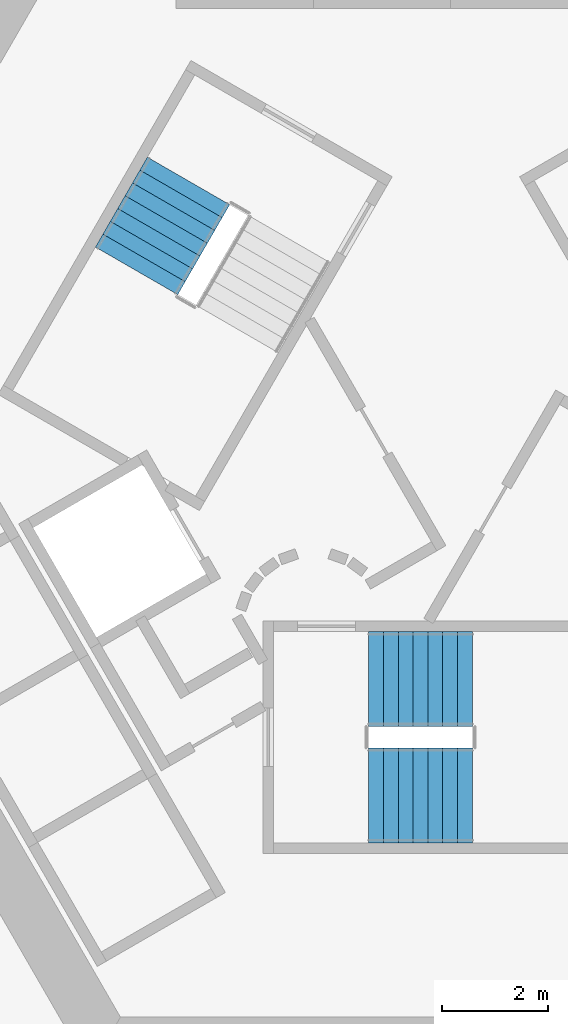
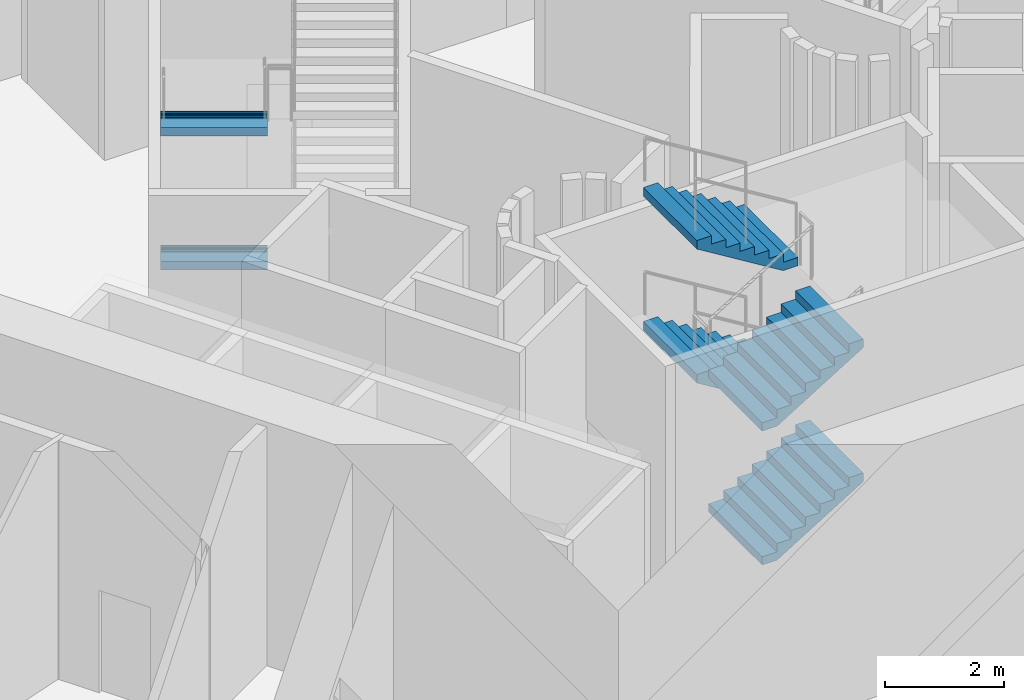
# One storey, part 15 of 20: 6 stair flights, 2 elements without a shape of their own.
"""IFC4 building model written with IfcOpenShell, lengths in metres."""

from ifc_helpers import new_model, si_unit, direction, frame, origin, place, context, subcontext, project, spatial, triangles, material, type_object, element, aggregate, save


model = new_model("IFC4")

# Units and contexts
model_context = context("Model", 3, precision=1e-05, world=origin(), true_north=direction((0.0, 1.0)))
body_context = subcontext(model_context, "Body", "Model", "MODEL_VIEW")
ifc_project = project(units=[si_unit("LENGTHUNIT", "METRE"), si_unit("AREAUNIT", "SQUARE_METRE"), si_unit("VOLUMEUNIT", "CUBIC_METRE"), si_unit("PLANEANGLEUNIT", "RADIAN"), si_unit("MASSUNIT", "GRAM", prefix="KILO")], contexts=[model_context])

# Site, building, storey
site_placement = place(None, origin())
site = spatial("IfcSite", under=ifc_project, at=site_placement, CompositionType="ELEMENT")
building_placement = place(site_placement, origin())
building = spatial("IfcBuilding", under=site, at=building_placement, Name="Entoto Arch Interchange Tower", CompositionType="ELEMENT")
storey_placement = place(building_placement, frame((0.0, 0.0, -5.5)))
storey = spatial("IfcBuildingStorey", under=building, at=storey_placement, Name="B1", CompositionType="ELEMENT", Elevation=-5.5)

# Stair, stair flights
ifc_material = material(Name="Concrete C40/50", Category="concrete")
stair_type = type_object("IfcStairType", Name="EXIT STAIR RC 1800", PredefinedType="HALF_TURN_STAIR", material=ifc_material)
stair_1_placement = place(storey_placement, origin())
stair_1 = element("IfcStair", 1, at=stair_1_placement, inside=storey, type_object=stair_type, Name="B1 Exit stair S", PredefinedType="HALF_TURN_STAIR")
stair_flight_type = type_object("IfcStairFlightType", Name="EXIT STAIR FLIGHT RC 1800", PredefinedType="STRAIGHT", material=ifc_material)
stair_flight_1_placement = place(storey_placement, frame((-1.64990234375, -4.300048828125, 0.0), z_axis=(0.0, 0.0, 1.0), x_axis=(1.0, 0.0, 0.0)))
stair_flight_1 = element("IfcStairFlight", 2, at=stair_flight_1_placement, type_object=stair_flight_type, Name="ST-S flight 1", NumberOfRisers=8, NumberOfTreads=7, PredefinedType="STRAIGHT", RiserHeight=0.171875, TreadLength=0.28, context=body_context, shape_type="Tessellation", body=[
    triangles([(-0.003, -0.900024, 0.0), (-0.003, -0.900024, 0.171875), (0.28, -0.900024, 0.171875), (0.28, -0.900024, 0.34375), (0.56, -0.900024, 0.34375), (0.56, -0.900024, 0.515625), (0.84, -0.900024, 0.515625), (0.84, -0.900024, 0.6875), (1.12, -0.900024, 0.6875), (1.12, -0.900024, 0.859375), (1.4, -0.900024, 0.859375), (1.4, -0.900024, 1.03125), (1.68, -0.900024, 1.03125), (1.68, -0.900024, 1.203125), (1.96, -0.900024, 1.203125), (1.963, -0.900024, 1.203125), (1.963, -0.900024, 1.029076), (0.286542, -0.900024, 0.0), (-0.003, 0.900024, 0.0), (-0.003, 0.900024, 0.171875), (0.28, 0.900024, 0.171875), (0.28, 0.900024, 0.34375), (0.56, 0.900024, 0.34375), (0.56, 0.900024, 0.515625), (0.84, 0.900024, 0.515625), (0.84, 0.900024, 0.6875), (1.12, 0.900024, 0.6875), (1.12, 0.900024, 0.859375), (1.4, 0.900024, 0.859375), (1.4, 0.900024, 1.03125), (1.68, 0.900024, 1.03125), (1.68, 0.900024, 1.203125), (1.96, 0.900024, 1.203125), (1.963, 0.900024, 1.203125), (1.963, 0.900024, 1.029076), (0.286542, 0.900024, 0.0), (-0.003, -0.450012, 0.0), (-0.003, -0.450012, 0.171875), (-0.003, 0.0, 0.0), (-0.003, 0.0, 0.171875), (-0.003, 0.450012, 0.0), (-0.003, 0.450012, 0.171875), (0.28, -0.450012, 0.171875), (0.28, 0.0, 0.171875), (0.28, 0.450012, 0.171875), (0.28, -0.450012, 0.34375), (0.28, 0.0, 0.34375), (0.28, 0.450012, 0.34375), (0.56, -0.450012, 0.34375), (0.56, 0.0, 0.34375), (0.56, 0.450012, 0.34375), (0.56, -0.450012, 0.515625), (0.56, 0.0, 0.515625), (0.56, 0.450012, 0.515625), (0.84, -0.450012, 0.515625), (0.84, 0.0, 0.515625), (0.84, 0.450012, 0.515625), (0.84, -0.450012, 0.6875), (0.84, 0.0, 0.6875), (0.84, 0.450012, 0.6875), (1.12, -0.450012, 0.6875), (1.12, 0.0, 0.6875), (1.12, 0.450012, 0.6875), (1.12, -0.450012, 0.859375), (1.12, 0.0, 0.859375), (1.12, 0.450012, 0.859375), (1.4, -0.450012, 0.859375), (1.4, 0.0, 0.859375), (1.4, 0.450012, 0.859375), (1.4, -0.450012, 1.03125), (1.4, 0.0, 1.03125), (1.4, 0.450012, 1.03125), (1.68, -0.450012, 1.03125), (1.68, 0.0, 1.03125), (1.68, 0.450012, 1.03125), (1.68, -0.450012, 1.203125), (1.68, 0.0, 1.203125), (1.68, 0.450012, 1.203125), (1.96, -0.450012, 1.203125), (1.96, 0.0, 1.203125), (1.96, 0.450012, 1.203125), (1.963, -0.450012, 1.203125), (1.963, 0.0, 1.203125), (1.963, 0.450012, 1.203125), (1.963, -0.450012, 1.029076), (1.963, 0.0, 1.029076), (1.963, 0.450012, 1.029076), (0.286542, -0.450012, 0.0), (0.286542, 0.0, 0.0), (0.286542, 0.450012, 0.0)], [[1, 18, 17], [17, 16, 15], [17, 15, 14], [17, 14, 13], [17, 13, 12], [17, 12, 11], [11, 10, 9], [17, 11, 9], [9, 8, 7], [17, 9, 7], [7, 6, 5], [17, 7, 5], [5, 4, 3], [17, 5, 3], [1, 17, 3], [3, 2, 1], [19, 35, 36], [35, 33, 34], [35, 32, 33], [35, 31, 32], [35, 30, 31], [35, 29, 30], [29, 27, 28], [35, 27, 29], [27, 25, 26], [35, 25, 27], [25, 23, 24], [35, 23, 25], [23, 21, 22], [35, 21, 23], [19, 21, 35], [21, 19, 20], [1, 2, 38], [1, 38, 37], [37, 38, 40], [37, 40, 39], [39, 40, 42], [39, 42, 41], [41, 42, 20], [41, 20, 19], [2, 3, 43], [2, 43, 38], [38, 43, 44], [38, 44, 40], [40, 44, 45], [40, 45, 42], [42, 45, 21], [42, 21, 20], [3, 4, 46], [3, 46, 43], [43, 46, 47], [43, 47, 44], [44, 47, 48], [44, 48, 45], [45, 48, 22], [45, 22, 21], [4, 5, 49], [4, 49, 46], [46, 49, 50], [46, 50, 47], [47, 50, 51], [47, 51, 48], [48, 51, 23], [48, 23, 22], [5, 6, 52], [5, 52, 49], [49, 52, 53], [49, 53, 50], [50, 53, 54], [50, 54, 51], [51, 54, 24], [51, 24, 23], [6, 7, 55], [6, 55, 52], [52, 55, 56], [52, 56, 53], [53, 56, 57], [53, 57, 54], [54, 57, 25], [54, 25, 24], [7, 8, 58], [7, 58, 55], [55, 58, 59], [55, 59, 56], [56, 59, 60], [56, 60, 57], [57, 60, 26], [57, 26, 25], [8, 9, 61], [8, 61, 58], [58, 61, 62], [58, 62, 59], [59, 62, 63], [59, 63, 60], [60, 63, 27], [60, 27, 26], [9, 10, 64], [9, 64, 61], [61, 64, 65], [61, 65, 62], [62, 65, 66], [62, 66, 63], [63, 66, 28], [63, 28, 27], [10, 11, 67], [10, 67, 64], [64, 67, 68], [64, 68, 65], [65, 68, 69], [65, 69, 66], [66, 69, 29], [66, 29, 28], [11, 12, 70], [11, 70, 67], [67, 70, 71], [67, 71, 68], [68, 71, 72], [68, 72, 69], [69, 72, 30], [69, 30, 29], [12, 13, 73], [12, 73, 70], [70, 73, 74], [70, 74, 71], [71, 74, 75], [71, 75, 72], [72, 75, 31], [72, 31, 30], [13, 14, 76], [13, 76, 73], [73, 76, 77], [73, 77, 74], [74, 77, 78], [74, 78, 75], [75, 78, 32], [75, 32, 31], [14, 15, 79], [14, 79, 76], [76, 79, 80], [76, 80, 77], [77, 80, 81], [77, 81, 78], [78, 81, 33], [78, 33, 32], [15, 16, 82], [15, 82, 79], [79, 82, 83], [79, 83, 80], [80, 83, 84], [80, 84, 81], [81, 84, 34], [81, 34, 33], [16, 17, 85], [16, 85, 82], [82, 85, 86], [82, 86, 83], [83, 86, 87], [83, 87, 84], [84, 87, 35], [84, 35, 34], [17, 18, 88], [17, 88, 85], [85, 88, 89], [85, 89, 86], [86, 89, 90], [86, 90, 87], [87, 90, 36], [87, 36, 35], [18, 1, 37], [18, 37, 88], [88, 37, 39], [88, 39, 89], [89, 39, 41], [89, 41, 90], [90, 41, 19], [90, 19, 36]], closed=True),
])
stair_flight_2_placement = place(storey_placement, frame((0.31005859375, -2.10009765625, 1.375), z_axis=(0.0, 0.0, 1.0), x_axis=(-1.0, 0.0, 0.0)))
stair_flight_2 = element("IfcStairFlight", 3, at=stair_flight_2_placement, type_object=stair_flight_type, Name="ST-S flight 2", NumberOfRisers=8, NumberOfTreads=7, PredefinedType="STRAIGHT", RiserHeight=0.171875, TreadLength=0.28, context=body_context, shape_type="Tessellation", body=[
    triangles([(-0.003, -0.900024, 0.0), (-0.003, -0.900024, 0.171875), (0.28, -0.900024, 0.171875), (0.28, -0.900024, 0.34375), (0.56, -0.900024, 0.34375), (0.56, -0.900024, 0.515625), (0.84, -0.900024, 0.515625), (0.84, -0.900024, 0.6875), (1.12, -0.900024, 0.6875), (1.12, -0.900024, 0.859375), (1.4, -0.900024, 0.859375), (1.4, -0.900024, 1.03125), (1.68, -0.900024, 1.03125), (1.68, -0.900024, 1.203125), (1.96, -0.900024, 1.203125), (1.963, -0.900024, 1.203125), (1.963, -0.900024, 1.029076), (0.286542, -0.900024, 0.0), (-0.003, 0.900024, 0.0), (-0.003, 0.900024, 0.171875), (0.28, 0.900024, 0.171875), (0.28, 0.900024, 0.34375), (0.56, 0.900024, 0.34375), (0.56, 0.900024, 0.515625), (0.84, 0.900024, 0.515625), (0.84, 0.900024, 0.6875), (1.12, 0.900024, 0.6875), (1.12, 0.900024, 0.859375), (1.4, 0.900024, 0.859375), (1.4, 0.900024, 1.03125), (1.68, 0.900024, 1.03125), (1.68, 0.900024, 1.203125), (1.96, 0.900024, 1.203125), (1.963, 0.900024, 1.203125), (1.963, 0.900024, 1.029076), (0.286542, 0.900024, 0.0), (-0.003, -0.450012, 0.0), (-0.003, -0.450012, 0.171875), (-0.003, 0.0, 0.0), (-0.003, 0.0, 0.171875), (-0.003, 0.450012, 0.0), (-0.003, 0.450012, 0.171875), (0.28, -0.450012, 0.171875), (0.28, 0.0, 0.171875), (0.28, 0.450012, 0.171875), (0.28, -0.450012, 0.34375), (0.28, 0.0, 0.34375), (0.28, 0.450012, 0.34375), (0.56, -0.450012, 0.34375), (0.56, 0.0, 0.34375), (0.56, 0.450012, 0.34375), (0.56, -0.450012, 0.515625), (0.56, 0.0, 0.515625), (0.56, 0.450012, 0.515625), (0.84, -0.450012, 0.515625), (0.84, 0.0, 0.515625), (0.84, 0.450012, 0.515625), (0.84, -0.450012, 0.6875), (0.84, 0.0, 0.6875), (0.84, 0.450012, 0.6875), (1.12, -0.450012, 0.6875), (1.12, 0.0, 0.6875), (1.12, 0.450012, 0.6875), (1.12, -0.450012, 0.859375), (1.12, 0.0, 0.859375), (1.12, 0.450012, 0.859375), (1.4, -0.450012, 0.859375), (1.4, 0.0, 0.859375), (1.4, 0.450012, 0.859375), (1.4, -0.450012, 1.03125), (1.4, 0.0, 1.03125), (1.4, 0.450012, 1.03125), (1.68, -0.450012, 1.03125), (1.68, 0.0, 1.03125), (1.68, 0.450012, 1.03125), (1.68, -0.450012, 1.203125), (1.68, 0.0, 1.203125), (1.68, 0.450012, 1.203125), (1.96, -0.450012, 1.203125), (1.96, 0.0, 1.203125), (1.96, 0.450012, 1.203125), (1.963, -0.450012, 1.203125), (1.963, 0.0, 1.203125), (1.963, 0.450012, 1.203125), (1.963, -0.450012, 1.029076), (1.963, 0.0, 1.029076), (1.963, 0.450012, 1.029076), (0.286542, -0.450012, 0.0), (0.286542, 0.0, 0.0), (0.286542, 0.450012, 0.0)], [[1, 18, 17], [17, 16, 15], [17, 15, 14], [17, 14, 13], [17, 13, 12], [17, 12, 11], [11, 10, 9], [17, 11, 9], [9, 8, 7], [17, 9, 7], [7, 6, 5], [17, 7, 5], [5, 4, 3], [17, 5, 3], [1, 17, 3], [3, 2, 1], [19, 35, 36], [35, 33, 34], [35, 32, 33], [35, 31, 32], [35, 30, 31], [35, 29, 30], [29, 27, 28], [35, 27, 29], [27, 25, 26], [35, 25, 27], [25, 23, 24], [35, 23, 25], [23, 21, 22], [35, 21, 23], [19, 21, 35], [21, 19, 20], [1, 2, 38], [1, 38, 37], [37, 38, 40], [37, 40, 39], [39, 40, 42], [39, 42, 41], [41, 42, 20], [41, 20, 19], [2, 3, 43], [2, 43, 38], [38, 43, 44], [38, 44, 40], [40, 44, 45], [40, 45, 42], [42, 45, 21], [42, 21, 20], [3, 4, 46], [3, 46, 43], [43, 46, 47], [43, 47, 44], [44, 47, 48], [44, 48, 45], [45, 48, 22], [45, 22, 21], [4, 5, 49], [4, 49, 46], [46, 49, 50], [46, 50, 47], [47, 50, 51], [47, 51, 48], [48, 51, 23], [48, 23, 22], [5, 6, 52], [5, 52, 49], [49, 52, 53], [49, 53, 50], [50, 53, 54], [50, 54, 51], [51, 54, 24], [51, 24, 23], [6, 7, 55], [6, 55, 52], [52, 55, 56], [52, 56, 53], [53, 56, 57], [53, 57, 54], [54, 57, 25], [54, 25, 24], [7, 8, 58], [7, 58, 55], [55, 58, 59], [55, 59, 56], [56, 59, 60], [56, 60, 57], [57, 60, 26], [57, 26, 25], [8, 9, 61], [8, 61, 58], [58, 61, 62], [58, 62, 59], [59, 62, 63], [59, 63, 60], [60, 63, 27], [60, 27, 26], [9, 10, 64], [9, 64, 61], [61, 64, 65], [61, 65, 62], [62, 65, 66], [62, 66, 63], [63, 66, 28], [63, 28, 27], [10, 11, 67], [10, 67, 64], [64, 67, 68], [64, 68, 65], [65, 68, 69], [65, 69, 66], [66, 69, 29], [66, 29, 28], [11, 12, 70], [11, 70, 67], [67, 70, 71], [67, 71, 68], [68, 71, 72], [68, 72, 69], [69, 72, 30], [69, 30, 29], [12, 13, 73], [12, 73, 70], [70, 73, 74], [70, 74, 71], [71, 74, 75], [71, 75, 72], [72, 75, 31], [72, 31, 30], [13, 14, 76], [13, 76, 73], [73, 76, 77], [73, 77, 74], [74, 77, 78], [74, 78, 75], [75, 78, 32], [75, 32, 31], [14, 15, 79], [14, 79, 76], [76, 79, 80], [76, 80, 77], [77, 80, 81], [77, 81, 78], [78, 81, 33], [78, 33, 32], [15, 16, 82], [15, 82, 79], [79, 82, 83], [79, 83, 80], [80, 83, 84], [80, 84, 81], [81, 84, 34], [81, 34, 33], [16, 17, 85], [16, 85, 82], [82, 85, 86], [82, 86, 83], [83, 86, 87], [83, 87, 84], [84, 87, 35], [84, 35, 34], [17, 18, 88], [17, 88, 85], [85, 88, 89], [85, 89, 86], [86, 89, 90], [86, 90, 87], [87, 90, 36], [87, 36, 35], [18, 1, 37], [18, 37, 88], [88, 37, 39], [88, 39, 89], [89, 39, 41], [89, 41, 90], [90, 41, 19], [90, 19, 36]], closed=True),
])
stair_flight_3_placement = place(storey_placement, frame((-1.64990234375, -4.300048828125, 2.75), z_axis=(0.0, 0.0, 1.0), x_axis=(1.0, 0.0, 0.0)))
stair_flight_3 = element("IfcStairFlight", 4, at=stair_flight_3_placement, type_object=stair_flight_type, Name="ST-S flight 3", NumberOfRisers=8, NumberOfTreads=7, PredefinedType="STRAIGHT", RiserHeight=0.171875, TreadLength=0.28, context=body_context, shape_type="Tessellation", body=[
    triangles([(-0.003, -0.900024, 0.0), (-0.003, -0.900024, 0.171875), (0.28, -0.900024, 0.171875), (0.28, -0.900024, 0.34375), (0.56, -0.900024, 0.34375), (0.56, -0.900024, 0.515625), (0.84, -0.900024, 0.515625), (0.84, -0.900024, 0.6875), (1.12, -0.900024, 0.6875), (1.12, -0.900024, 0.859375), (1.4, -0.900024, 0.859375), (1.4, -0.900024, 1.03125), (1.68, -0.900024, 1.03125), (1.68, -0.900024, 1.203125), (1.96, -0.900024, 1.203125), (1.963, -0.900024, 1.203125), (1.963, -0.900024, 1.029076), (0.286542, -0.900024, 0.0), (-0.003, 0.900024, 0.0), (-0.003, 0.900024, 0.171875), (0.28, 0.900024, 0.171875), (0.28, 0.900024, 0.34375), (0.56, 0.900024, 0.34375), (0.56, 0.900024, 0.515625), (0.84, 0.900024, 0.515625), (0.84, 0.900024, 0.6875), (1.12, 0.900024, 0.6875), (1.12, 0.900024, 0.859375), (1.4, 0.900024, 0.859375), (1.4, 0.900024, 1.03125), (1.68, 0.900024, 1.03125), (1.68, 0.900024, 1.203125), (1.96, 0.900024, 1.203125), (1.963, 0.900024, 1.203125), (1.963, 0.900024, 1.029076), (0.286542, 0.900024, 0.0), (-0.003, -0.450012, 0.0), (-0.003, -0.450012, 0.171875), (-0.003, 0.0, 0.0), (-0.003, 0.0, 0.171875), (-0.003, 0.450012, 0.0), (-0.003, 0.450012, 0.171875), (0.28, -0.450012, 0.171875), (0.28, 0.0, 0.171875), (0.28, 0.450012, 0.171875), (0.28, -0.450012, 0.34375), (0.28, 0.0, 0.34375), (0.28, 0.450012, 0.34375), (0.56, -0.450012, 0.34375), (0.56, 0.0, 0.34375), (0.56, 0.450012, 0.34375), (0.56, -0.450012, 0.515625), (0.56, 0.0, 0.515625), (0.56, 0.450012, 0.515625), (0.84, -0.450012, 0.515625), (0.84, 0.0, 0.515625), (0.84, 0.450012, 0.515625), (0.84, -0.450012, 0.6875), (0.84, 0.0, 0.6875), (0.84, 0.450012, 0.6875), (1.12, -0.450012, 0.6875), (1.12, 0.0, 0.6875), (1.12, 0.450012, 0.6875), (1.12, -0.450012, 0.859375), (1.12, 0.0, 0.859375), (1.12, 0.450012, 0.859375), (1.4, -0.450012, 0.859375), (1.4, 0.0, 0.859375), (1.4, 0.450012, 0.859375), (1.4, -0.450012, 1.03125), (1.4, 0.0, 1.03125), (1.4, 0.450012, 1.03125), (1.68, -0.450012, 1.03125), (1.68, 0.0, 1.03125), (1.68, 0.450012, 1.03125), (1.68, -0.450012, 1.203125), (1.68, 0.0, 1.203125), (1.68, 0.450012, 1.203125), (1.96, -0.450012, 1.203125), (1.96, 0.0, 1.203125), (1.96, 0.450012, 1.203125), (1.963, -0.450012, 1.203125), (1.963, 0.0, 1.203125), (1.963, 0.450012, 1.203125), (1.963, -0.450012, 1.029076), (1.963, 0.0, 1.029076), (1.963, 0.450012, 1.029076), (0.286542, -0.450012, 0.0), (0.286542, 0.0, 0.0), (0.286542, 0.450012, 0.0)], [[1, 18, 17], [17, 16, 15], [17, 15, 14], [17, 14, 13], [17, 13, 12], [17, 12, 11], [11, 10, 9], [17, 11, 9], [9, 8, 7], [17, 9, 7], [7, 6, 5], [17, 7, 5], [5, 4, 3], [17, 5, 3], [1, 17, 3], [3, 2, 1], [19, 35, 36], [35, 33, 34], [35, 32, 33], [35, 31, 32], [35, 30, 31], [35, 29, 30], [29, 27, 28], [35, 27, 29], [27, 25, 26], [35, 25, 27], [25, 23, 24], [35, 23, 25], [23, 21, 22], [35, 21, 23], [19, 21, 35], [21, 19, 20], [1, 2, 38], [1, 38, 37], [37, 38, 40], [37, 40, 39], [39, 40, 42], [39, 42, 41], [41, 42, 20], [41, 20, 19], [2, 3, 43], [2, 43, 38], [38, 43, 44], [38, 44, 40], [40, 44, 45], [40, 45, 42], [42, 45, 21], [42, 21, 20], [3, 4, 46], [3, 46, 43], [43, 46, 47], [43, 47, 44], [44, 47, 48], [44, 48, 45], [45, 48, 22], [45, 22, 21], [4, 5, 49], [4, 49, 46], [46, 49, 50], [46, 50, 47], [47, 50, 51], [47, 51, 48], [48, 51, 23], [48, 23, 22], [5, 6, 52], [5, 52, 49], [49, 52, 53], [49, 53, 50], [50, 53, 54], [50, 54, 51], [51, 54, 24], [51, 24, 23], [6, 7, 55], [6, 55, 52], [52, 55, 56], [52, 56, 53], [53, 56, 57], [53, 57, 54], [54, 57, 25], [54, 25, 24], [7, 8, 58], [7, 58, 55], [55, 58, 59], [55, 59, 56], [56, 59, 60], [56, 60, 57], [57, 60, 26], [57, 26, 25], [8, 9, 61], [8, 61, 58], [58, 61, 62], [58, 62, 59], [59, 62, 63], [59, 63, 60], [60, 63, 27], [60, 27, 26], [9, 10, 64], [9, 64, 61], [61, 64, 65], [61, 65, 62], [62, 65, 66], [62, 66, 63], [63, 66, 28], [63, 28, 27], [10, 11, 67], [10, 67, 64], [64, 67, 68], [64, 68, 65], [65, 68, 69], [65, 69, 66], [66, 69, 29], [66, 29, 28], [11, 12, 70], [11, 70, 67], [67, 70, 71], [67, 71, 68], [68, 71, 72], [68, 72, 69], [69, 72, 30], [69, 30, 29], [12, 13, 73], [12, 73, 70], [70, 73, 74], [70, 74, 71], [71, 74, 75], [71, 75, 72], [72, 75, 31], [72, 31, 30], [13, 14, 76], [13, 76, 73], [73, 76, 77], [73, 77, 74], [74, 77, 78], [74, 78, 75], [75, 78, 32], [75, 32, 31], [14, 15, 79], [14, 79, 76], [76, 79, 80], [76, 80, 77], [77, 80, 81], [77, 81, 78], [78, 81, 33], [78, 33, 32], [15, 16, 82], [15, 82, 79], [79, 82, 83], [79, 83, 80], [80, 83, 84], [80, 84, 81], [81, 84, 34], [81, 34, 33], [16, 17, 85], [16, 85, 82], [82, 85, 86], [82, 86, 83], [83, 86, 87], [83, 87, 84], [84, 87, 35], [84, 35, 34], [17, 18, 88], [17, 88, 85], [85, 88, 89], [85, 89, 86], [86, 89, 90], [86, 90, 87], [87, 90, 36], [87, 36, 35], [18, 1, 37], [18, 37, 88], [88, 37, 39], [88, 39, 89], [89, 39, 41], [89, 41, 90], [90, 41, 19], [90, 19, 36]], closed=True),
])
stair_flight_4_placement = place(storey_placement, frame((0.31005859375, -2.10009765625, 4.125), z_axis=(0.0, 0.0, 1.0), x_axis=(-1.0, 0.0, 0.0)))
stair_flight_4 = element("IfcStairFlight", 5, at=stair_flight_4_placement, type_object=stair_flight_type, Name="ST-S flight 4", NumberOfRisers=8, NumberOfTreads=7, PredefinedType="STRAIGHT", RiserHeight=0.171875, TreadLength=0.28, context=body_context, shape_type="Tessellation", body=[
    triangles([(-0.003, -0.900024, 0.0), (-0.003, -0.900024, 0.171875), (0.28, -0.900024, 0.171875), (0.28, -0.900024, 0.34375), (0.56, -0.900024, 0.34375), (0.56, -0.900024, 0.515625), (0.84, -0.900024, 0.515625), (0.84, -0.900024, 0.6875), (1.12, -0.900024, 0.6875), (1.12, -0.900024, 0.859375), (1.4, -0.900024, 0.859375), (1.4, -0.900024, 1.03125), (1.68, -0.900024, 1.03125), (1.68, -0.900024, 1.203125), (1.96, -0.900024, 1.203125), (1.963, -0.900024, 1.203125), (1.963, -0.900024, 1.029076), (0.286542, -0.900024, 0.0), (-0.003, 0.900024, 0.0), (-0.003, 0.900024, 0.171875), (0.28, 0.900024, 0.171875), (0.28, 0.900024, 0.34375), (0.56, 0.900024, 0.34375), (0.56, 0.900024, 0.515625), (0.84, 0.900024, 0.515625), (0.84, 0.900024, 0.6875), (1.12, 0.900024, 0.6875), (1.12, 0.900024, 0.859375), (1.4, 0.900024, 0.859375), (1.4, 0.900024, 1.03125), (1.68, 0.900024, 1.03125), (1.68, 0.900024, 1.203125), (1.96, 0.900024, 1.203125), (1.963, 0.900024, 1.203125), (1.963, 0.900024, 1.029076), (0.286542, 0.900024, 0.0), (-0.003, -0.450012, 0.0), (-0.003, -0.450012, 0.171875), (-0.003, 0.0, 0.0), (-0.003, 0.0, 0.171875), (-0.003, 0.450012, 0.0), (-0.003, 0.450012, 0.171875), (0.28, -0.450012, 0.171875), (0.28, 0.0, 0.171875), (0.28, 0.450012, 0.171875), (0.28, -0.450012, 0.34375), (0.28, 0.0, 0.34375), (0.28, 0.450012, 0.34375), (0.56, -0.450012, 0.34375), (0.56, 0.0, 0.34375), (0.56, 0.450012, 0.34375), (0.56, -0.450012, 0.515625), (0.56, 0.0, 0.515625), (0.56, 0.450012, 0.515625), (0.84, -0.450012, 0.515625), (0.84, 0.0, 0.515625), (0.84, 0.450012, 0.515625), (0.84, -0.450012, 0.6875), (0.84, 0.0, 0.6875), (0.84, 0.450012, 0.6875), (1.12, -0.450012, 0.6875), (1.12, 0.0, 0.6875), (1.12, 0.450012, 0.6875), (1.12, -0.450012, 0.859375), (1.12, 0.0, 0.859375), (1.12, 0.450012, 0.859375), (1.4, -0.450012, 0.859375), (1.4, 0.0, 0.859375), (1.4, 0.450012, 0.859375), (1.4, -0.450012, 1.03125), (1.4, 0.0, 1.03125), (1.4, 0.450012, 1.03125), (1.68, -0.450012, 1.03125), (1.68, 0.0, 1.03125), (1.68, 0.450012, 1.03125), (1.68, -0.450012, 1.203125), (1.68, 0.0, 1.203125), (1.68, 0.450012, 1.203125), (1.96, -0.450012, 1.203125), (1.96, 0.0, 1.203125), (1.96, 0.450012, 1.203125), (1.963, -0.450012, 1.203125), (1.963, 0.0, 1.203125), (1.963, 0.450012, 1.203125), (1.963, -0.450012, 1.029076), (1.963, 0.0, 1.029076), (1.963, 0.450012, 1.029076), (0.286542, -0.450012, 0.0), (0.286542, 0.0, 0.0), (0.286542, 0.450012, 0.0)], [[1, 18, 17], [17, 16, 15], [17, 15, 14], [17, 14, 13], [17, 13, 12], [17, 12, 11], [11, 10, 9], [17, 11, 9], [9, 8, 7], [17, 9, 7], [7, 6, 5], [17, 7, 5], [5, 4, 3], [17, 5, 3], [1, 17, 3], [3, 2, 1], [19, 35, 36], [35, 33, 34], [35, 32, 33], [35, 31, 32], [35, 30, 31], [35, 29, 30], [29, 27, 28], [35, 27, 29], [27, 25, 26], [35, 25, 27], [25, 23, 24], [35, 23, 25], [23, 21, 22], [35, 21, 23], [19, 21, 35], [21, 19, 20], [1, 2, 38], [1, 38, 37], [37, 38, 40], [37, 40, 39], [39, 40, 42], [39, 42, 41], [41, 42, 20], [41, 20, 19], [2, 3, 43], [2, 43, 38], [38, 43, 44], [38, 44, 40], [40, 44, 45], [40, 45, 42], [42, 45, 21], [42, 21, 20], [3, 4, 46], [3, 46, 43], [43, 46, 47], [43, 47, 44], [44, 47, 48], [44, 48, 45], [45, 48, 22], [45, 22, 21], [4, 5, 49], [4, 49, 46], [46, 49, 50], [46, 50, 47], [47, 50, 51], [47, 51, 48], [48, 51, 23], [48, 23, 22], [5, 6, 52], [5, 52, 49], [49, 52, 53], [49, 53, 50], [50, 53, 54], [50, 54, 51], [51, 54, 24], [51, 24, 23], [6, 7, 55], [6, 55, 52], [52, 55, 56], [52, 56, 53], [53, 56, 57], [53, 57, 54], [54, 57, 25], [54, 25, 24], [7, 8, 58], [7, 58, 55], [55, 58, 59], [55, 59, 56], [56, 59, 60], [56, 60, 57], [57, 60, 26], [57, 26, 25], [8, 9, 61], [8, 61, 58], [58, 61, 62], [58, 62, 59], [59, 62, 63], [59, 63, 60], [60, 63, 27], [60, 27, 26], [9, 10, 64], [9, 64, 61], [61, 64, 65], [61, 65, 62], [62, 65, 66], [62, 66, 63], [63, 66, 28], [63, 28, 27], [10, 11, 67], [10, 67, 64], [64, 67, 68], [64, 68, 65], [65, 68, 69], [65, 69, 66], [66, 69, 29], [66, 29, 28], [11, 12, 70], [11, 70, 67], [67, 70, 71], [67, 71, 68], [68, 71, 72], [68, 72, 69], [69, 72, 30], [69, 30, 29], [12, 13, 73], [12, 73, 70], [70, 73, 74], [70, 74, 71], [71, 74, 75], [71, 75, 72], [72, 75, 31], [72, 31, 30], [13, 14, 76], [13, 76, 73], [73, 76, 77], [73, 77, 74], [74, 77, 78], [74, 78, 75], [75, 78, 32], [75, 32, 31], [14, 15, 79], [14, 79, 76], [76, 79, 80], [76, 80, 77], [77, 80, 81], [77, 81, 78], [78, 81, 33], [78, 33, 32], [15, 16, 82], [15, 82, 79], [79, 82, 83], [79, 83, 80], [80, 83, 84], [80, 84, 81], [81, 84, 34], [81, 34, 33], [16, 17, 85], [16, 85, 82], [82, 85, 86], [82, 86, 83], [83, 86, 87], [83, 87, 84], [84, 87, 35], [84, 35, 34], [17, 18, 88], [17, 88, 85], [85, 88, 89], [85, 89, 86], [86, 89, 90], [86, 90, 87], [87, 90, 36], [87, 36, 35], [18, 1, 37], [18, 37, 88], [88, 37, 39], [88, 39, 89], [89, 39, 41], [89, 41, 90], [90, 41, 19], [90, 19, 36]], closed=True),
])
aggregate(stair_1, [stair_flight_1, stair_flight_2, stair_flight_3, stair_flight_4])

stair_2_placement = place(storey_placement, origin())
stair_2 = element("IfcStair", 6, at=stair_2_placement, inside=storey, type_object=stair_type, Name="B1 Exit stair NW", PredefinedType="HALF_TURN_STAIR")
stair_flight_5_placement = place(storey_placement, frame((-5.06396484375, 7.328857421875, 0.0), z_axis=(0.0, 0.0, 1.0), x_axis=(-0.5, -0.866025403784, 0.0)))
stair_flight_5 = element("IfcStairFlight", 7, at=stair_flight_5_placement, type_object=stair_flight_type, Name="ST-NW flight 1", NumberOfRisers=8, NumberOfTreads=7, PredefinedType="STRAIGHT", RiserHeight=0.171875, TreadLength=0.28, context=body_context, shape_type="Tessellation", body=[
    triangles([(-0.003, -0.900024, 0.0), (-0.003, -0.900024, 0.171875), (0.28, -0.900024, 0.171875), (0.28, -0.900024, 0.34375), (0.56, -0.900024, 0.34375), (0.56, -0.900024, 0.515625), (0.84, -0.900024, 0.515625), (0.84, -0.900024, 0.6875), (1.12, -0.900024, 0.6875), (1.12, -0.900024, 0.859375), (1.4, -0.900024, 0.859375), (1.4, -0.900024, 1.03125), (1.68, -0.900024, 1.03125), (1.68, -0.900024, 1.203125), (1.96, -0.900024, 1.203125), (1.963, -0.900024, 1.203125), (1.963, -0.900024, 1.029076), (0.286542, -0.900024, 0.0), (-0.003, 0.900024, 0.0), (-0.003, 0.900024, 0.171875), (0.28, 0.900024, 0.171875), (0.28, 0.900024, 0.34375), (0.56, 0.900024, 0.34375), (0.56, 0.900024, 0.515625), (0.84, 0.900024, 0.515625), (0.84, 0.900024, 0.6875), (1.12, 0.900024, 0.6875), (1.12, 0.900024, 0.859375), (1.4, 0.900024, 0.859375), (1.4, 0.900024, 1.03125), (1.68, 0.900024, 1.03125), (1.68, 0.900024, 1.203125), (1.96, 0.900024, 1.203125), (1.963, 0.900024, 1.203125), (1.963, 0.900024, 1.029076), (0.286542, 0.900024, 0.0), (-0.003, -0.450012, 0.0), (-0.003, -0.450012, 0.171875), (-0.003, 0.0, 0.0), (-0.003, 0.0, 0.171875), (-0.003, 0.450012, 0.0), (-0.003, 0.450012, 0.171875), (0.28, -0.450012, 0.171875), (0.28, 0.0, 0.171875), (0.28, 0.450012, 0.171875), (0.28, -0.450012, 0.34375), (0.28, 0.0, 0.34375), (0.28, 0.450012, 0.34375), (0.56, -0.450012, 0.34375), (0.56, 0.0, 0.34375), (0.56, 0.450012, 0.34375), (0.56, -0.450012, 0.515625), (0.56, 0.0, 0.515625), (0.56, 0.450012, 0.515625), (0.84, -0.450012, 0.515625), (0.84, 0.0, 0.515625), (0.84, 0.450012, 0.515625), (0.84, -0.450012, 0.6875), (0.84, 0.0, 0.6875), (0.84, 0.450012, 0.6875), (1.12, -0.450012, 0.6875), (1.12, 0.0, 0.6875), (1.12, 0.450012, 0.6875), (1.12, -0.450012, 0.859375), (1.12, 0.0, 0.859375), (1.12, 0.450012, 0.859375), (1.4, -0.450012, 0.859375), (1.4, 0.0, 0.859375), (1.4, 0.450012, 0.859375), (1.4, -0.450012, 1.03125), (1.4, 0.0, 1.03125), (1.4, 0.450012, 1.03125), (1.68, -0.450012, 1.03125), (1.68, 0.0, 1.03125), (1.68, 0.450012, 1.03125), (1.68, -0.450012, 1.203125), (1.68, 0.0, 1.203125), (1.68, 0.450012, 1.203125), (1.96, -0.450012, 1.203125), (1.96, 0.0, 1.203125), (1.96, 0.450012, 1.203125), (1.963, -0.450012, 1.203125), (1.963, 0.0, 1.203125), (1.963, 0.450012, 1.203125), (1.963, -0.450012, 1.029076), (1.963, 0.0, 1.029076), (1.963, 0.450012, 1.029076), (0.286542, -0.450012, 0.0), (0.286542, 0.0, 0.0), (0.286542, 0.450012, 0.0)], [[1, 18, 17], [17, 16, 15], [17, 15, 14], [17, 14, 13], [17, 13, 12], [17, 12, 11], [11, 10, 9], [17, 11, 9], [9, 8, 7], [17, 9, 7], [7, 6, 5], [17, 7, 5], [5, 4, 3], [17, 5, 3], [1, 17, 3], [3, 2, 1], [19, 35, 36], [35, 33, 34], [35, 32, 33], [35, 31, 32], [35, 30, 31], [35, 29, 30], [29, 27, 28], [35, 27, 29], [27, 25, 26], [35, 25, 27], [25, 23, 24], [35, 23, 25], [23, 21, 22], [35, 21, 23], [19, 21, 35], [21, 19, 20], [1, 2, 38], [1, 38, 37], [37, 38, 40], [37, 40, 39], [39, 40, 42], [39, 42, 41], [41, 42, 20], [41, 20, 19], [2, 3, 43], [2, 43, 38], [38, 43, 44], [38, 44, 40], [40, 44, 45], [40, 45, 42], [42, 45, 21], [42, 21, 20], [3, 4, 46], [3, 46, 43], [43, 46, 47], [43, 47, 44], [44, 47, 48], [44, 48, 45], [45, 48, 22], [45, 22, 21], [4, 5, 49], [4, 49, 46], [46, 49, 50], [46, 50, 47], [47, 50, 51], [47, 51, 48], [48, 51, 23], [48, 23, 22], [5, 6, 52], [5, 52, 49], [49, 52, 53], [49, 53, 50], [50, 53, 54], [50, 54, 51], [51, 54, 24], [51, 24, 23], [6, 7, 55], [6, 55, 52], [52, 55, 56], [52, 56, 53], [53, 56, 57], [53, 57, 54], [54, 57, 25], [54, 25, 24], [7, 8, 58], [7, 58, 55], [55, 58, 59], [55, 59, 56], [56, 59, 60], [56, 60, 57], [57, 60, 26], [57, 26, 25], [8, 9, 61], [8, 61, 58], [58, 61, 62], [58, 62, 59], [59, 62, 63], [59, 63, 60], [60, 63, 27], [60, 27, 26], [9, 10, 64], [9, 64, 61], [61, 64, 65], [61, 65, 62], [62, 65, 66], [62, 66, 63], [63, 66, 28], [63, 28, 27], [10, 11, 67], [10, 67, 64], [64, 67, 68], [64, 68, 65], [65, 68, 69], [65, 69, 66], [66, 69, 29], [66, 29, 28], [11, 12, 70], [11, 70, 67], [67, 70, 71], [67, 71, 68], [68, 71, 72], [68, 72, 69], [69, 72, 30], [69, 30, 29], [12, 13, 73], [12, 73, 70], [70, 73, 74], [70, 74, 71], [71, 74, 75], [71, 75, 72], [72, 75, 31], [72, 31, 30], [13, 14, 76], [13, 76, 73], [73, 76, 77], [73, 77, 74], [74, 77, 78], [74, 78, 75], [75, 78, 32], [75, 32, 31], [14, 15, 79], [14, 79, 76], [76, 79, 80], [76, 80, 77], [77, 80, 81], [77, 81, 78], [78, 81, 33], [78, 33, 32], [15, 16, 82], [15, 82, 79], [79, 82, 83], [79, 83, 80], [80, 83, 84], [80, 84, 81], [81, 84, 34], [81, 34, 33], [16, 17, 85], [16, 85, 82], [82, 85, 86], [82, 86, 83], [83, 86, 87], [83, 87, 84], [84, 87, 35], [84, 35, 34], [17, 18, 88], [17, 88, 85], [85, 88, 89], [85, 89, 86], [86, 89, 90], [86, 90, 87], [87, 90, 36], [87, 36, 35], [18, 1, 37], [18, 37, 88], [88, 37, 39], [88, 39, 89], [89, 39, 41], [89, 41, 90], [90, 41, 19], [90, 19, 36]], closed=True),
])
stair_flight_6_placement = place(storey_placement, frame((-5.06396484375, 7.328857421875, 2.75), z_axis=(0.0, 0.0, 1.0), x_axis=(-0.5, -0.866025403784, 0.0)))
stair_flight_6 = element("IfcStairFlight", 8, at=stair_flight_6_placement, type_object=stair_flight_type, Name="ST-NW flight 3", NumberOfRisers=8, NumberOfTreads=7, PredefinedType="STRAIGHT", RiserHeight=0.171875, TreadLength=0.28, context=body_context, shape_type="Tessellation", body=[
    triangles([(-0.003, -0.900024, 0.0), (-0.003, -0.900024, 0.171875), (0.28, -0.900024, 0.171875), (0.28, -0.900024, 0.34375), (0.56, -0.900024, 0.34375), (0.56, -0.900024, 0.515625), (0.84, -0.900024, 0.515625), (0.84, -0.900024, 0.6875), (1.12, -0.900024, 0.6875), (1.12, -0.900024, 0.859375), (1.4, -0.900024, 0.859375), (1.4, -0.900024, 1.03125), (1.68, -0.900024, 1.03125), (1.68, -0.900024, 1.203125), (1.96, -0.900024, 1.203125), (1.963, -0.900024, 1.203125), (1.963, -0.900024, 1.029076), (0.286542, -0.900024, 0.0), (-0.003, 0.900024, 0.0), (-0.003, 0.900024, 0.171875), (0.28, 0.900024, 0.171875), (0.28, 0.900024, 0.34375), (0.56, 0.900024, 0.34375), (0.56, 0.900024, 0.515625), (0.84, 0.900024, 0.515625), (0.84, 0.900024, 0.6875), (1.12, 0.900024, 0.6875), (1.12, 0.900024, 0.859375), (1.4, 0.900024, 0.859375), (1.4, 0.900024, 1.03125), (1.68, 0.900024, 1.03125), (1.68, 0.900024, 1.203125), (1.96, 0.900024, 1.203125), (1.963, 0.900024, 1.203125), (1.963, 0.900024, 1.029076), (0.286542, 0.900024, 0.0), (-0.003, -0.450012, 0.0), (-0.003, -0.450012, 0.171875), (-0.003, 0.0, 0.0), (-0.003, 0.0, 0.171875), (-0.003, 0.450012, 0.0), (-0.003, 0.450012, 0.171875), (0.28, -0.450012, 0.171875), (0.28, 0.0, 0.171875), (0.28, 0.450012, 0.171875), (0.28, -0.450012, 0.34375), (0.28, 0.0, 0.34375), (0.28, 0.450012, 0.34375), (0.56, -0.450012, 0.34375), (0.56, 0.0, 0.34375), (0.56, 0.450012, 0.34375), (0.56, -0.450012, 0.515625), (0.56, 0.0, 0.515625), (0.56, 0.450012, 0.515625), (0.84, -0.450012, 0.515625), (0.84, 0.0, 0.515625), (0.84, 0.450012, 0.515625), (0.84, -0.450012, 0.6875), (0.84, 0.0, 0.6875), (0.84, 0.450012, 0.6875), (1.12, -0.450012, 0.6875), (1.12, 0.0, 0.6875), (1.12, 0.450012, 0.6875), (1.12, -0.450012, 0.859375), (1.12, 0.0, 0.859375), (1.12, 0.450012, 0.859375), (1.4, -0.450012, 0.859375), (1.4, 0.0, 0.859375), (1.4, 0.450012, 0.859375), (1.4, -0.450012, 1.03125), (1.4, 0.0, 1.03125), (1.4, 0.450012, 1.03125), (1.68, -0.450012, 1.03125), (1.68, 0.0, 1.03125), (1.68, 0.450012, 1.03125), (1.68, -0.450012, 1.203125), (1.68, 0.0, 1.203125), (1.68, 0.450012, 1.203125), (1.96, -0.450012, 1.203125), (1.96, 0.0, 1.203125), (1.96, 0.450012, 1.203125), (1.963, -0.450012, 1.203125), (1.963, 0.0, 1.203125), (1.963, 0.450012, 1.203125), (1.963, -0.450012, 1.029076), (1.963, 0.0, 1.029076), (1.963, 0.450012, 1.029076), (0.286542, -0.450012, 0.0), (0.286542, 0.0, 0.0), (0.286542, 0.450012, 0.0)], [[1, 18, 17], [17, 16, 15], [17, 15, 14], [17, 14, 13], [17, 13, 12], [17, 12, 11], [11, 10, 9], [17, 11, 9], [9, 8, 7], [17, 9, 7], [7, 6, 5], [17, 7, 5], [5, 4, 3], [17, 5, 3], [1, 17, 3], [3, 2, 1], [19, 35, 36], [35, 33, 34], [35, 32, 33], [35, 31, 32], [35, 30, 31], [35, 29, 30], [29, 27, 28], [35, 27, 29], [27, 25, 26], [35, 25, 27], [25, 23, 24], [35, 23, 25], [23, 21, 22], [35, 21, 23], [19, 21, 35], [21, 19, 20], [1, 2, 38], [1, 38, 37], [37, 38, 40], [37, 40, 39], [39, 40, 42], [39, 42, 41], [41, 42, 20], [41, 20, 19], [2, 3, 43], [2, 43, 38], [38, 43, 44], [38, 44, 40], [40, 44, 45], [40, 45, 42], [42, 45, 21], [42, 21, 20], [3, 4, 46], [3, 46, 43], [43, 46, 47], [43, 47, 44], [44, 47, 48], [44, 48, 45], [45, 48, 22], [45, 22, 21], [4, 5, 49], [4, 49, 46], [46, 49, 50], [46, 50, 47], [47, 50, 51], [47, 51, 48], [48, 51, 23], [48, 23, 22], [5, 6, 52], [5, 52, 49], [49, 52, 53], [49, 53, 50], [50, 53, 54], [50, 54, 51], [51, 54, 24], [51, 24, 23], [6, 7, 55], [6, 55, 52], [52, 55, 56], [52, 56, 53], [53, 56, 57], [53, 57, 54], [54, 57, 25], [54, 25, 24], [7, 8, 58], [7, 58, 55], [55, 58, 59], [55, 59, 56], [56, 59, 60], [56, 60, 57], [57, 60, 26], [57, 26, 25], [8, 9, 61], [8, 61, 58], [58, 61, 62], [58, 62, 59], [59, 62, 63], [59, 63, 60], [60, 63, 27], [60, 27, 26], [9, 10, 64], [9, 64, 61], [61, 64, 65], [61, 65, 62], [62, 65, 66], [62, 66, 63], [63, 66, 28], [63, 28, 27], [10, 11, 67], [10, 67, 64], [64, 67, 68], [64, 68, 65], [65, 68, 69], [65, 69, 66], [66, 69, 29], [66, 29, 28], [11, 12, 70], [11, 70, 67], [67, 70, 71], [67, 71, 68], [68, 71, 72], [68, 72, 69], [69, 72, 30], [69, 30, 29], [12, 13, 73], [12, 73, 70], [70, 73, 74], [70, 74, 71], [71, 74, 75], [71, 75, 72], [72, 75, 31], [72, 31, 30], [13, 14, 76], [13, 76, 73], [73, 76, 77], [73, 77, 74], [74, 77, 78], [74, 78, 75], [75, 78, 32], [75, 32, 31], [14, 15, 79], [14, 79, 76], [76, 79, 80], [76, 80, 77], [77, 80, 81], [77, 81, 78], [78, 81, 33], [78, 33, 32], [15, 16, 82], [15, 82, 79], [79, 82, 83], [79, 83, 80], [80, 83, 84], [80, 84, 81], [81, 84, 34], [81, 34, 33], [16, 17, 85], [16, 85, 82], [82, 85, 86], [82, 86, 83], [83, 86, 87], [83, 87, 84], [84, 87, 35], [84, 35, 34], [17, 18, 88], [17, 88, 85], [85, 88, 89], [85, 89, 86], [86, 89, 90], [86, 90, 87], [87, 90, 36], [87, 36, 35], [18, 1, 37], [18, 37, 88], [88, 37, 39], [88, 39, 89], [89, 39, 41], [89, 41, 90], [90, 41, 19], [90, 19, 36]], closed=True),
])
aggregate(stair_2, [stair_flight_5, stair_flight_6])

save(model, "model.ifc")
